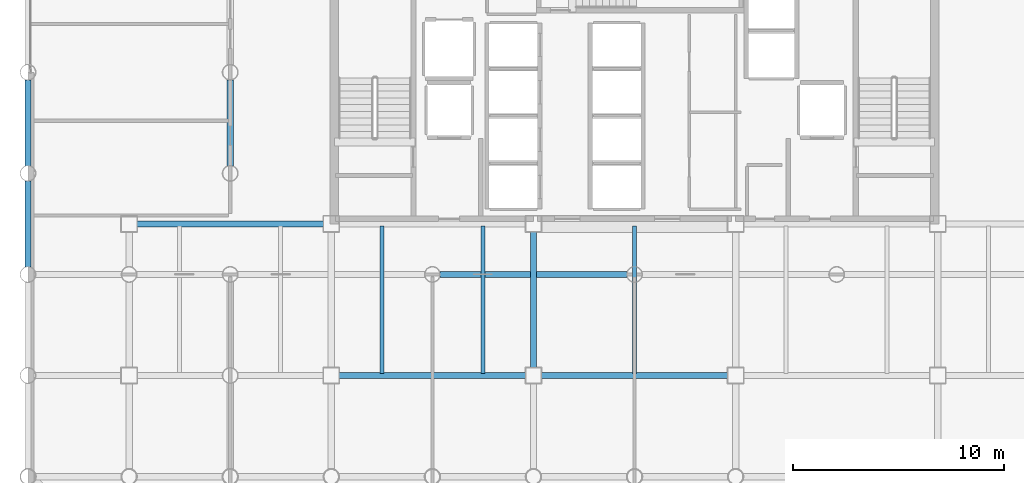
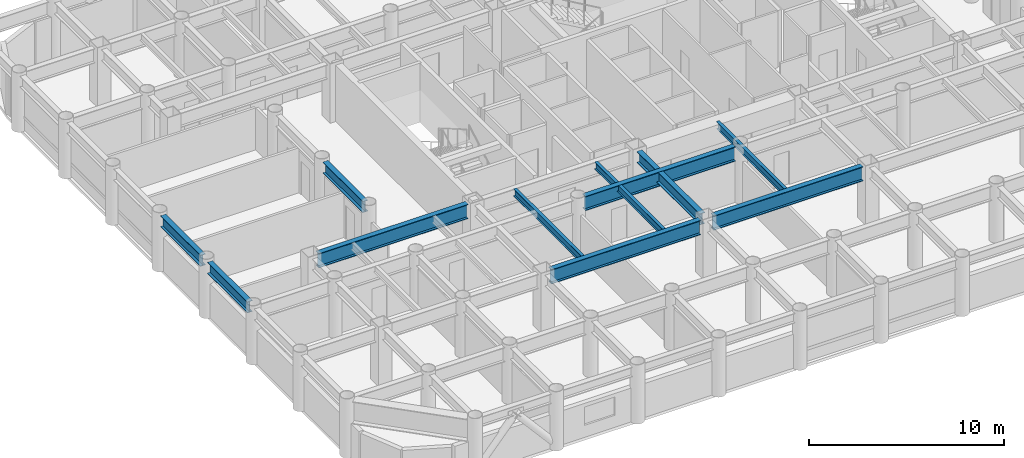
# One storey, part 3 of 19: 11 beams.
"""IFC4 building model written with IfcOpenShell, lengths in metres."""

from ifc_helpers import new_model, si_unit, direction, frame, origin, origin_2d, place, context, subcontext, project, spatial, i_section, extrude, material, material_profile, profile_set, type_object, element, save


model = new_model("IFC4")

# Units and contexts
model_context = context("Model", 3, precision=1e-05, world=origin(), true_north=direction((0.0, 1.0)))
body_context = subcontext(model_context, "Body", "Model", "MODEL_VIEW")
ifc_project = project(units=[si_unit("LENGTHUNIT", "METRE"), si_unit("AREAUNIT", "SQUARE_METRE"), si_unit("VOLUMEUNIT", "CUBIC_METRE"), si_unit("PLANEANGLEUNIT", "RADIAN"), si_unit("MASSUNIT", "GRAM", prefix="KILO")], contexts=[model_context])

# Site, building, storey
site_placement = place(None, origin())
site = spatial("IfcSite", under=ifc_project, at=site_placement, CompositionType="ELEMENT")
building_placement = place(site_placement, origin())
building = spatial("IfcBuilding", under=site, at=building_placement, Name="Kallvorn Hotel Tower", CompositionType="ELEMENT")
storey_placement = place(building_placement, frame((0.0, 0.0, 63.300048828125)))
storey = spatial("IfcBuildingStorey", under=building, at=storey_placement, Name="L14", CompositionType="ELEMENT", Elevation=63.300048828125)

# Beams
ifc_material_1 = material(Name="Structural steel S355JR", Category="steel")
ifc_material_profile_1 = material_profile(ifc_material_1, i_section(OverallWidth=0.300048828125, OverallDepth=0.699951171875, WebThickness=0.01708984375, FlangeThickness=0.031982421875, at=origin_2d()), Name="HE 700 B")
ifc_profile_set_1 = profile_set([ifc_material_profile_1], Name="Structural steel S355JR")
beam_type_1 = type_object("IfcBeamType", Name="BM_HE700B", PredefinedType="BEAM", material=ifc_profile_set_1)
beam_1_placement = place(storey_placement, frame((-28.800048828125, -9.243896484375, 3.169921875), z_axis=(0.0, 1.0, 0.0), x_axis=(-1.0, 0.0, 0.0)))
element("IfcBeam", 1, at=beam_1_placement, inside=storey, type_object=beam_type_1, Name="L15 Primary Y-Girder 75", PredefinedType="BEAM", context=body_context, shape_type="SweptSolid", body=[
    extrude(i_section(OverallWidth=0.300048828125, OverallDepth=0.699951171875, WebThickness=0.01708984375, FlangeThickness=0.031982421875, at=origin_2d()), origin(), (0.0, 0.0, 1.0), 4.087890625),
])
for number, where, z_axis, x_axis, name in (
    (2, (-28.800048828125, -4.444091796875, 3.169921875), (0.0, 1.0, 0.0), (-1.0, 0.0, 0.0), "L15 Primary Y-Girder 76"),
    (3, (-19.199951171875, -4.444091796875, 3.169921875), (0.0, 1.0, 0.0), (-1.0, 0.0, 0.0), "L15 Primary Y-Girder 92"),
):
    element("IfcBeam", number, at=place(storey_placement, frame(where, z_axis=z_axis, x_axis=x_axis)), inside=storey, type_object=beam_type_1, Name=name, PredefinedType="BEAM", context=body_context, shape_type="SweptSolid", body=[
        extrude(i_section(OverallWidth=0.300048828125, OverallDepth=0.699951171875, WebThickness=0.01708984375, FlangeThickness=0.031982421875, at=origin_2d()), origin(), (0.0, 0.0, 1.0), 4.088134765625),
    ])
beam_2_placement = place(storey_placement, frame((-4.800048828125, -14.02490234375, 3.169921875), z_axis=(0.0, 1.0, 0.0), x_axis=(-1.0, 0.0, 0.0)))
element("IfcBeam", 4, at=beam_2_placement, inside=storey, type_object=beam_type_1, Name="L15 Primary Y-Girder 107", PredefinedType="BEAM", context=body_context, shape_type="SweptSolid", body=[
    extrude(i_section(OverallWidth=0.300048828125, OverallDepth=0.699951171875, WebThickness=0.01708984375, FlangeThickness=0.031982421875, at=origin_2d()), origin(), (0.0, 0.0, 1.0), 6.449951171875),
])
ifc_material_2 = material(Name="Structural steel S355JR", Category="steel")
ifc_material_profile_2 = material_profile(ifc_material_2, i_section(OverallWidth=0.300048828125, OverallDepth=0.89990234375, WebThickness=0.0185546875, FlangeThickness=0.034912109375, at=origin_2d()), Name="HE 900 B")
ifc_profile_set_2 = profile_set([ifc_material_profile_2], Name="Structural steel S355JR")
beam_type_2 = type_object("IfcBeamType", Name="BM_HE900B", PredefinedType="BEAM", material=ifc_profile_set_2)
beam_3_placement = place(storey_placement, frame((-14.02490234375, -14.39990234375, 3.070068359375), z_axis=(1.0, 0.0, 0.0), x_axis=(0.0, 1.0, 0.0)))
element("IfcBeam", 5, at=beam_3_placement, inside=storey, type_object=beam_type_2, Name="L15 Primary X-Girder 17", PredefinedType="BEAM", context=body_context, shape_type="SweptSolid", body=[
    extrude(i_section(OverallWidth=0.300048828125, OverallDepth=0.89990234375, WebThickness=0.0185546875, FlangeThickness=0.034912109375, at=origin_2d()), origin(), (0.0, 0.0, 1.0), 8.849853515625),
])
beam_4_placement = place(storey_placement, frame((-4.425048828125, -14.39990234375, 3.070068359375), z_axis=(1.0, 0.0, 0.0), x_axis=(0.0, 1.0, 0.0)))
element("IfcBeam", 6, at=beam_4_placement, inside=storey, type_object=beam_type_2, Name="L15 Primary X-Girder 18", PredefinedType="BEAM", context=body_context, shape_type="SweptSolid", body=[
    extrude(i_section(OverallWidth=0.300048828125, OverallDepth=0.89990234375, WebThickness=0.0185546875, FlangeThickness=0.034912109375, at=origin_2d()), origin(), (0.0, 0.0, 1.0), 8.85009765625),
])
beam_5_placement = place(storey_placement, frame((-9.243896484375, -9.60009765625, 3.070068359375), z_axis=(1.0, 0.0, 0.0), x_axis=(0.0, 1.0, 0.0)))
element("IfcBeam", 7, at=beam_5_placement, inside=storey, type_object=beam_type_2, Name="L15 Primary X-Girder 27", PredefinedType="BEAM", context=body_context, shape_type="SweptSolid", body=[
    extrude(i_section(OverallWidth=0.300048828125, OverallDepth=0.89990234375, WebThickness=0.0185546875, FlangeThickness=0.034912109375, at=origin_2d()), origin(), (0.0, 0.0, 1.0), 8.887939453125),
])
beam_6_placement = place(storey_placement, frame((-23.625, -7.199951171875, 3.070068359375), z_axis=(1.0, 0.0, 0.0), x_axis=(0.0, 1.0, 0.0)))
element("IfcBeam", 8, at=beam_6_placement, inside=storey, type_object=beam_type_2, Name="L15 Primary X-Girder 33", PredefinedType="BEAM", context=body_context, shape_type="SweptSolid", body=[
    extrude(i_section(OverallWidth=0.300048828125, OverallDepth=0.89990234375, WebThickness=0.0185546875, FlangeThickness=0.034912109375, at=origin_2d()), origin(), (0.0, 0.0, 1.0), 8.85009765625),
])
ifc_material_3 = material(Name="Structural steel S355JR", Category="steel")
ifc_material_profile_3 = material_profile(ifc_material_3, i_section(OverallWidth=0.18994140625, OverallDepth=0.449951171875, WebThickness=0.009521484375, FlangeThickness=0.0146484375, at=origin_2d()), Name="IPE 450")
ifc_profile_set_3 = profile_set([ifc_material_profile_3], Name="Structural steel S355JR")
beam_type_3 = type_object("IfcBeamType", Name="BM_IPE450", PredefinedType="JOIST", material=ifc_profile_set_3)
for number, where, z_axis, x_axis, name in (
    (9, (-12.0, -14.300048828125, 3.294921875), (0.0, 1.0, 0.0), (-1.0, 0.0, 0.0), "L15 Secondary Composite Joist 196"),
    (10, (-7.199951171875, -14.300048828125, 3.294921875), (0.0, 1.0, 0.0), (-1.0, 0.0, 0.0), "L15 Secondary Composite Joist 198"),
    (11, (0.0, -14.300048828125, 3.294921875), (0.0, 1.0, 0.0), (-1.0, 0.0, 0.0), "L15 Secondary Composite Joist 200"),
):
    element("IfcBeam", number, at=place(storey_placement, frame(where, z_axis=z_axis, x_axis=x_axis)), inside=storey, type_object=beam_type_3, Name=name, PredefinedType="JOIST", context=body_context, shape_type="SweptSolid", body=[
        extrude(i_section(OverallWidth=0.18994140625, OverallDepth=0.449951171875, WebThickness=0.009521484375, FlangeThickness=0.0146484375, at=origin_2d()), origin(), (0.0, 0.0, 1.0), 7.0),
    ])

save(model, "model.ifc")
